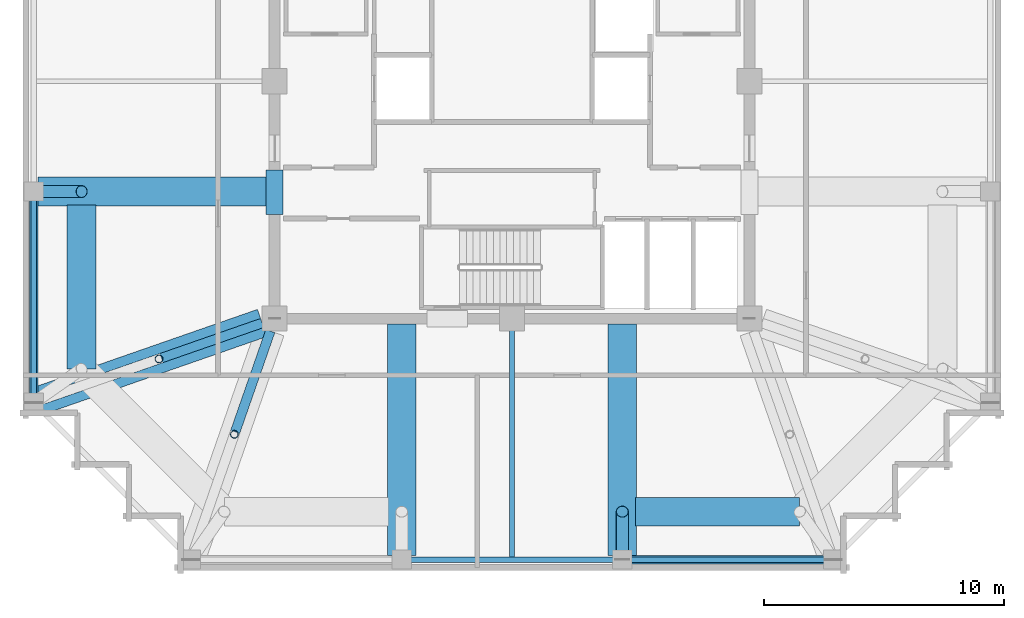
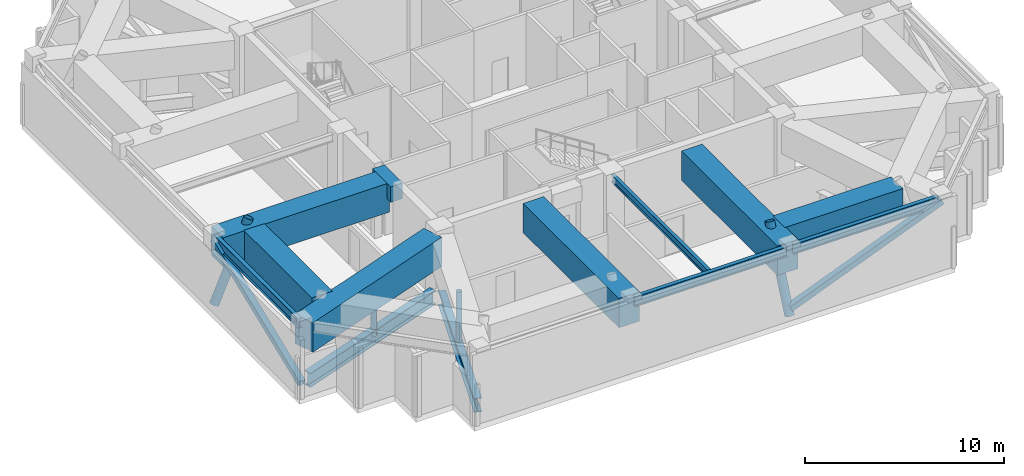
# One storey, part 2 of 14: 13 beams, 6 members.
"""IFC4 building model written with IfcOpenShell, lengths in metres."""

from ifc_helpers import new_model, si_unit, direction, frame, origin, origin_2d, place, context, subcontext, project, spatial, rectangle, hollow_rectangle, hollow_circle, i_section, extrude, material, material_profile, profile_set, type_object, element, save


model = new_model("IFC4")

# Units and contexts
model_context = context("Model", 3, precision=1e-05, world=origin(), true_north=direction((0.0, 1.0)))
body_context = subcontext(model_context, "Body", "Model", "MODEL_VIEW")
ifc_project = project(units=[si_unit("LENGTHUNIT", "METRE"), si_unit("AREAUNIT", "SQUARE_METRE"), si_unit("VOLUMEUNIT", "CUBIC_METRE"), si_unit("PLANEANGLEUNIT", "RADIAN"), si_unit("MASSUNIT", "GRAM", prefix="KILO")], contexts=[model_context])

# Site, building, storey
site_placement = place(None, origin())
site = spatial("IfcSite", under=ifc_project, at=site_placement, CompositionType="ELEMENT")
building_placement = place(site_placement, origin())
building = spatial("IfcBuilding", under=site, at=building_placement, Name="Kolvaren Belvedere", CompositionType="ELEMENT")
storey_placement = place(building_placement, frame((0.0, 0.0, 232.800048828125)))
storey = spatial("IfcBuildingStorey", under=building, at=storey_placement, Name="L68", CompositionType="ELEMENT", Elevation=232.800048828125)

# Beams
ifc_material_1 = material(Name="Structural steel ASTM A992 Grade 50", Category="steel")
ifc_material_profile_1 = material_profile(ifc_material_1, i_section(OverallWidth=0.39990234375, OverallDepth=0.85595703125, WebThickness=0.018310546875, FlangeThickness=0.029296875, FilletRadius=0.02490234375, at=origin_2d()), Name="W33X201")
ifc_profile_set_1 = profile_set([ifc_material_profile_1], Name="Structural steel ASTM A992 Grade 50")
beam_type_1 = type_object("IfcBeamType", Name="BM-GIRD-W33X201", PredefinedType="BEAM", material=ifc_profile_set_1)
for number, where, z_axis, x_axis, name in (
    (1, (-10.080810546875, -10.41943359375, 0.47998046875), (-0.328892811986, -0.944367258128, 0.0), (0.944367258128, -0.328892811986, 0.0), "L68 Outrigger Truss Bottom Chord OB-1"),
    (2, (-10.41943359375, -10.080810546875, 0.47998046875), (-0.944367258128, -0.328892811986, 0.0), (0.328892811986, -0.944367258128, 0.0), "L68 Outrigger Truss Bottom Chord OB-2"),
):
    element("IfcBeam", number, at=place(storey_placement, frame(where, z_axis=z_axis, x_axis=x_axis)), inside=storey, type_object=beam_type_1, Name=name, PredefinedType="BEAM", context=body_context, shape_type="SweptSolid", body=[
        extrude(i_section(OverallWidth=0.39990234375, OverallDepth=0.85595703125, WebThickness=0.018310546875, FlangeThickness=0.029296875, FilletRadius=0.02490234375, at=origin_2d()), origin(), (0.0, 0.0, 1.0), 9.641845703125),
    ])
ifc_material_2 = material(Name="Structural steel ASTM A992 Grade 50", Category="steel")
ifc_material_profile_2 = material_profile(ifc_material_2, i_section(OverallWidth=0.19091796875, OverallDepth=0.4599609375, WebThickness=0.010009765625, FlangeThickness=0.01611328125, FilletRadius=0.014892578125, at=origin_2d()), Name="W18X55")
ifc_profile_set_2 = profile_set([ifc_material_profile_2], Name="Structural steel ASTM A992 Grade 50")
beam_type_2 = type_object("IfcBeamType", Name="BM-JOIST-W18X55", PredefinedType="BEAM", material=ifc_profile_set_2)
beam_1_placement = place(storey_placement, frame((0.0, -10.125, 4.119873046875), z_axis=(0.0, -1.0, 0.0), x_axis=(1.0, 0.0, 0.0)))
element("IfcBeam", 3, at=beam_1_placement, inside=storey, type_object=beam_type_2, Name="L68 South Centre Floor Beam", PredefinedType="BEAM", context=body_context, shape_type="SweptSolid", body=[
    extrude(i_section(OverallWidth=0.19091796875, OverallDepth=0.4599609375, WebThickness=0.010009765625, FlangeThickness=0.01611328125, FilletRadius=0.014892578125, at=origin_2d()), origin(), (0.0, 0.0, 1.0), 9.71044921875),
])
ifc_material_3 = material(Name="Concrete C60/75", Category="concrete")
ifc_material_profile_3 = material_profile(ifc_material_3, rectangle(XDim=0.699951171875, YDim=0.949951171875, at=origin_2d()), Name="RC 700X950")
ifc_profile_set_3 = profile_set([ifc_material_profile_3], Name="Concrete C60/75")
beam_type_3 = type_object("IfcBeamType", Name="BM-LINT-950", PredefinedType="LINTEL", material=ifc_profile_set_3)
beam_2_placement = place(storey_placement, frame((-9.89990234375, -5.550048828125, 3.875), z_axis=(0.0, 1.0, 0.0), x_axis=(-1.0, 0.0, 0.0)))
element("IfcBeam", 4, at=beam_2_placement, inside=storey, type_object=beam_type_3, Name="L68 West Core Coupling Lintel", PredefinedType="LINTEL", context=body_context, shape_type="SweptSolid", body=[
    extrude(rectangle(XDim=0.699951171875, YDim=0.949951171875, at=origin_2d()), origin(), (0.0, 0.0, 1.0), 1.85009765625),
])
ifc_material_4 = material(Name="Structural steel ASTM A992 Grade 50", Category="steel")
ifc_material_profile_4 = material_profile(ifc_material_4, i_section(OverallWidth=0.22900390625, OverallDepth=0.612060546875, WebThickness=0.011962890625, FlangeThickness=0.01953125, FilletRadius=0.01806640625, at=origin_2d()), Name="W24X84")
ifc_profile_set_4 = profile_set([ifc_material_profile_4], Name="Structural steel ASTM A992 Grade 50")
beam_type_4 = type_object("IfcBeamType", Name="BM-SPAN-W24X84", PredefinedType="SPANDREL", material=ifc_profile_set_4)
beam_3_placement = place(storey_placement, frame((-4.419921875, -19.949951171875, 4.0439453125), z_axis=(1.0, 0.0, 0.0), x_axis=(0.0, 1.0, 0.0)))
element("IfcBeam", 5, at=beam_3_placement, inside=storey, type_object=beam_type_4, Name="L68 Perimeter Spandrel S2-S3", PredefinedType="SPANDREL", context=body_context, shape_type="SweptSolid", body=[
    extrude(i_section(OverallWidth=0.22900390625, OverallDepth=0.612060546875, WebThickness=0.011962890625, FlangeThickness=0.01953125, FilletRadius=0.01806640625, at=origin_2d()), origin(), (0.0, 0.0, 1.0), 8.83984375),
])
for number, where, z_axis, x_axis, name in (
    (6, (4.780029296875, -19.949951171875, 4.0439453125), (1.0, 0.0, 0.0), (0.0, 1.0, 0.0), "L68 Perimeter Spandrel S3-S4"),
    (7, (-19.949951171875, -4.780029296875, 4.0439453125), (0.0, -1.0, 0.0), (1.0, 0.0, 0.0), "L68 Perimeter Spandrel W2-W1"),
):
    element("IfcBeam", number, at=place(storey_placement, frame(where, z_axis=z_axis, x_axis=x_axis)), inside=storey, type_object=beam_type_4, Name=name, PredefinedType="SPANDREL", context=body_context, shape_type="SweptSolid", body=[
        extrude(i_section(OverallWidth=0.22900390625, OverallDepth=0.612060546875, WebThickness=0.011962890625, FlangeThickness=0.01953125, FilletRadius=0.01806640625, at=origin_2d()), origin(), (0.0, 0.0, 1.0), 8.43994140625),
    ])
ifc_material_5 = material(Name="Concrete C50/60", Category="concrete")
ifc_material_profile_5 = material_profile(ifc_material_5, rectangle(XDim=1.199951171875, YDim=1.800048828125, at=origin_2d()), Name="RC 1200X1800")
ifc_profile_set_5 = profile_set([ifc_material_profile_5], Name="Concrete C50/60")
beam_type_5 = type_object("IfcBeamType", Name="BM-TG-1800", PredefinedType="BEAM", material=ifc_profile_set_5)
for number, where, z_axis, x_axis, name in (
    (8, (5.14990234375, -17.949951171875, 3.449951171875), (1.0, 0.0, 0.0), (0.0, 1.0, 0.0), "L68 Step Transfer Ring Girder S3-S4"),
    (9, (-17.949951171875, -5.14990234375, 3.449951171875), (0.0, -1.0, 0.0), (1.0, 0.0, 0.0), "L68 Step Transfer Ring Girder W2-W1"),
):
    element("IfcBeam", number, at=place(storey_placement, frame(where, z_axis=z_axis, x_axis=x_axis)), inside=storey, type_object=beam_type_5, Name=name, PredefinedType="BEAM", context=body_context, shape_type="SweptSolid", body=[
        extrude(rectangle(XDim=1.199951171875, YDim=1.800048828125, at=origin_2d()), origin(), (0.0, 0.0, 1.0), 6.85009765625),
    ])
for number, where, z_axis, x_axis, name in (
    (10, (4.60009765625, -10.125, 3.449951171875), (0.0, -1.0, 0.0), (1.0, 0.0, 0.0), "L68 South Radial Girder P"),
    (11, (-4.60009765625, -10.125, 3.449951171875), (0.0, -1.0, 0.0), (1.0, 0.0, 0.0), "L68 South Radial Girder M"),
    (12, (-10.125, -4.60009765625, 3.449951171875), (-1.0, 0.0, 0.0), (0.0, -1.0, 0.0), "L68 West Radial Girder M"),
):
    element("IfcBeam", number, at=place(storey_placement, frame(where, z_axis=z_axis, x_axis=x_axis)), inside=storey, type_object=beam_type_5, Name=name, PredefinedType="BEAM", context=body_context, shape_type="SweptSolid", body=[
        extrude(rectangle(XDim=1.199951171875, YDim=1.800048828125, at=origin_2d()), origin(), (0.0, 0.0, 1.0), 9.64501953125),
    ])
beam_4_placement = place(storey_placement, frame((-10.41943359375, -10.080810546875, 3.449951171875), z_axis=(-0.944365399758, -0.328898147971, 0.0), x_axis=(0.328898147971, -0.944365399758, 0.0)))
element("IfcBeam", 13, at=beam_4_placement, inside=storey, type_object=beam_type_5, Name="L68 Corner Core-to-Perimeter Girder CC1-W1", PredefinedType="BEAM", context=body_context, shape_type="SweptSolid", body=[
    extrude(rectangle(XDim=1.199951171875, YDim=1.800048828125, at=origin_2d()), origin(), (0.0, 0.0, 1.0), 9.931884765625),
])

# Members
ifc_material_6 = material(Name="Structural steel ASTM A500 Grade C", Category="steel")
ifc_material_profile_6 = material_profile(ifc_material_6, hollow_rectangle(XDim=0.35595703125, YDim=0.35595703125, WallThickness=0.01171875, at=origin_2d()), Name="HSS14X14X1/2")
ifc_profile_set_6 = profile_set([ifc_material_profile_6], Name="Structural steel ASTM A500 Grade C")
member_type_1 = type_object("IfcMemberType", Name="MB-BELT-BRACE", PredefinedType="BRACE", material=ifc_profile_set_6)
for number, where, z_axis, x_axis, name in (
    (14, (4.60009765625, -19.949951171875, 0.47998046875), (0.928473137817, 0.0, 0.371399558902), (0.0, 1.0, 0.0), "L68 Perimeter Belt Truss Brace BT-2"),
    (15, (-19.949951171875, -13.39990234375, 0.47998046875), (0.0, 0.928473137817, 0.371399558902), (-1.0, 0.0, 0.0), "L68 Perimeter Belt Truss Brace BT-5"),
):
    element("IfcMember", number, at=place(storey_placement, frame(where, z_axis=z_axis, x_axis=x_axis)), inside=storey, type_object=member_type_1, Name=name, PredefinedType="BRACE", context=body_context, shape_type="SweptSolid", body=[
        extrude(hollow_rectangle(XDim=0.35595703125, YDim=0.35595703125, WallThickness=0.01171875, at=origin_2d()), origin(), (0.0, 0.0, 1.0), 9.477783203125),
    ])
ifc_material_7 = material(Name="Structural steel ASTM A500 Grade C", Category="steel")
ifc_material_profile_7 = material_profile(ifc_material_7, hollow_circle(Radius=0.162109375, WallThickness=0.01171875, at=origin_2d()), Name="HSS12.750X0.500")
ifc_profile_set_7 = profile_set([ifc_material_profile_7], Name="Structural steel ASTM A500 Grade C")
member_type_2 = type_object("IfcMemberType", Name="MB-CAN-POST", PredefinedType="POST", material=ifc_profile_set_7)
for number, where, z_axis, x_axis, name in (
    (16, (-11.580078125, -14.72412109375, 0.47998046875), (0.0, 0.0, 1.0), (1.0, 0.0, 0.0), "L68 Outrigger Portal Post OP-1"),
    (17, (-14.72412109375, -11.580078125, 0.47998046875), (0.0, 0.0, 1.0), (1.0, 0.0, 0.0), "L68 Outrigger Portal Post OP-2"),
):
    element("IfcMember", number, at=place(storey_placement, frame(where, z_axis=z_axis, x_axis=x_axis)), inside=storey, type_object=member_type_2, Name=name, PredefinedType="POST", context=body_context, shape_type="SweptSolid", body=[
        extrude(hollow_circle(Radius=0.162109375, WallThickness=0.01171875, at=origin_2d()), origin(), (0.0, 0.0, 1.0), 3.52001953125),
    ])
ifc_material_8 = material(Name="Structural steel ASTM A500 Grade C", Category="steel")
ifc_material_profile_8 = material_profile(ifc_material_8, hollow_circle(Radius=0.25390625, WallThickness=0.01171875, at=origin_2d()), Name="HSS20.000X0.500")
ifc_profile_set_8 = profile_set([ifc_material_profile_8], Name="Structural steel ASTM A500 Grade C")
member_type_3 = type_object("IfcMemberType", Name="MB-WAIST-STRUT", PredefinedType="STRUT", material=ifc_profile_set_8)
for number, where, z_axis, x_axis, name in (
    (18, (4.60009765625, -19.949951171875, 0.0), (0.0, 0.398736790245, 0.917065413209), (-1.0, 0.0, 0.0), "L68 Inclined Waist Transition Strut S3"),
    (19, (-19.949951171875, -4.60009765625, 0.0), (0.398736790245, 0.0, 0.917065413209), (0.0, 1.0, 0.0), "L68 Inclined Waist Transition Strut W2"),
):
    element("IfcMember", number, at=place(storey_placement, frame(where, z_axis=z_axis, x_axis=x_axis)), inside=storey, type_object=member_type_3, Name=name, PredefinedType="STRUT", context=body_context, shape_type="SweptSolid", body=[
        extrude(hollow_circle(Radius=0.25390625, WallThickness=0.01171875, at=origin_2d()), origin(), (0.0, 0.0, 1.0), 5.015869140625),
    ])

save(model, "model.ifc")
